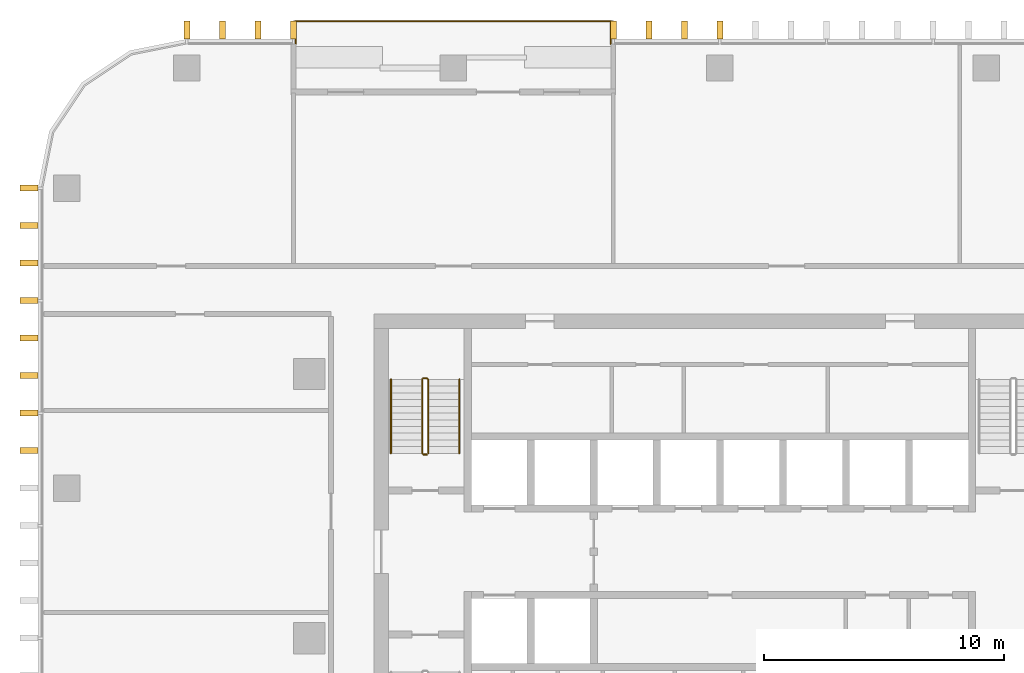
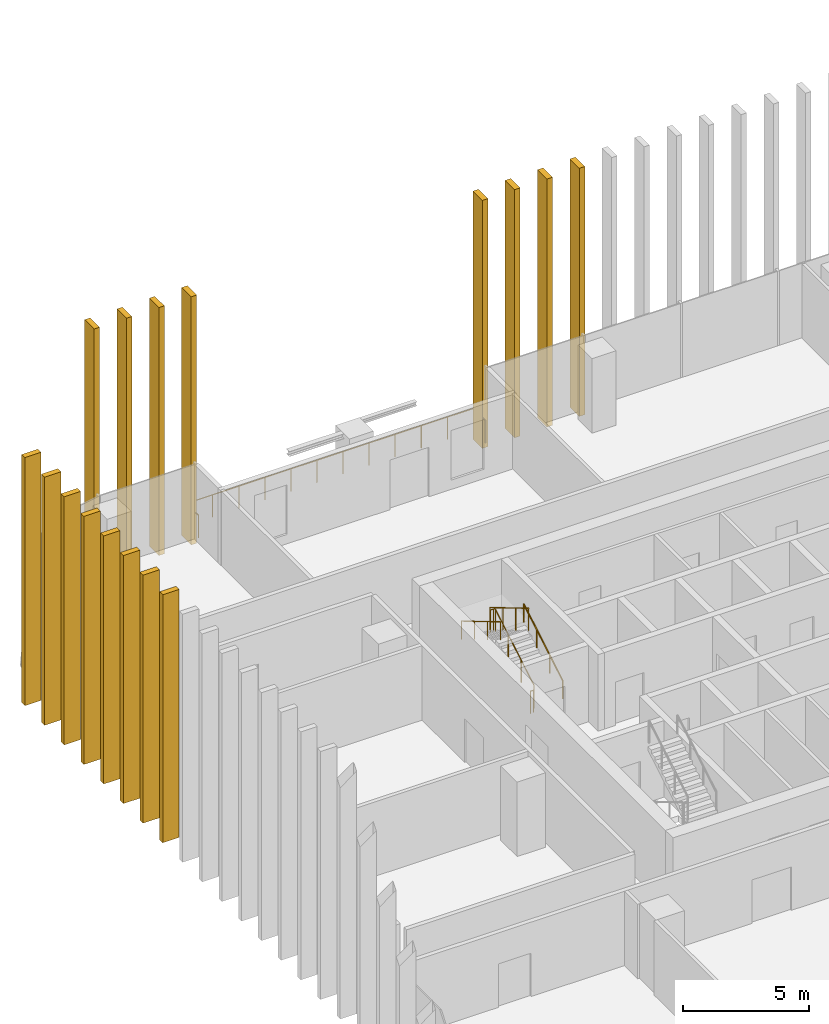
# One storey, part 14 of 15: 16 shading devices, 6 railings.
"""IFC4 building model written with IfcOpenShell, lengths in metres."""

from ifc_helpers import new_model, si_unit, direction, frame, origin, origin_2d, place, context, subcontext, project, spatial, rectangle, circle, extrude, material, type_object, element, save


model = new_model("IFC4")

# Units and contexts
model_context = context("Model", 3, precision=1e-05, world=origin(), true_north=direction((0.0, 1.0)))
body_context = subcontext(model_context, "Body", "Model", "MODEL_VIEW")
ifc_project = project(units=[si_unit("LENGTHUNIT", "METRE"), si_unit("AREAUNIT", "SQUARE_METRE"), si_unit("VOLUMEUNIT", "CUBIC_METRE"), si_unit("PLANEANGLEUNIT", "RADIAN"), si_unit("MASSUNIT", "GRAM", prefix="KILO")], contexts=[model_context])

# Site, building, storey
site_placement = place(None, origin())
site = spatial("IfcSite", under=ifc_project, at=site_placement, CompositionType="ELEMENT")
building_placement = place(site_placement, origin())
building = spatial("IfcBuilding", under=site, at=building_placement, Name="Mopane Tessera Tower", CompositionType="ELEMENT")
storey_placement = place(building_placement, frame((0.0, 0.0, 223.0)))
storey = spatial("IfcBuildingStorey", under=building, at=storey_placement, Name="L47", CompositionType="ELEMENT", Elevation=223.0)

# Shading devices
ifc_material_1 = material(Name="Glazed ceramic tile")
shading_device_type = type_object("IfcShadingDeviceType", Name="Ceramic tile fin 750 x 250 mm", PredefinedType="USERDEFINED", material=ifc_material_1)
for number, where, z_axis, x_axis, name in (
    (1, (0.0, 25.324951171875, -0.39990234375), (0.0, 0.0, 1.0), (-1.0, 0.0, 0.0), "e:fin:L47:N:5:0"),
    (2, (-1.47998046875, 25.324951171875, -0.39990234375), (0.0, 0.0, 1.0), (-1.0, 0.0, 0.0), "e:fin:L47:N:5:1"),
    (3, (-2.9599609375, 25.324951171875, -0.39990234375), (0.0, 0.0, 1.0), (-1.0, 0.0, 0.0), "e:fin:L47:N:5:2"),
    (4, (-4.43994140625, 25.324951171875, -0.39990234375), (0.0, 0.0, 1.0), (-1.0, 0.0, 0.0), "e:fin:L47:N:5:3"),
    (5, (-17.760009765625, 25.324951171875, -0.39990234375), (0.0, 0.0, 1.0), (-1.0, 0.0, 0.0), "e:fin:L47:N:9:0"),
    (6, (-19.239990234375, 25.324951171875, -0.39990234375), (0.0, 0.0, 1.0), (-1.0, 0.0, 0.0), "e:fin:L47:N:9:1"),
    (7, (-20.719970703125, 25.324951171875, -0.39990234375), (0.0, 0.0, 1.0), (-1.0, 0.0, 0.0), "e:fin:L47:N:9:2"),
    (8, (-22.199951171875, 25.324951171875, -0.39990234375), (0.0, 0.0, 1.0), (-1.0, 0.0, 0.0), "e:fin:L47:N:9:3"),
    (9, (-28.77490234375, 18.75, -0.39990234375), (0.0, 0.0, 1.0), (0.0, -1.0, 0.0), "e:fin:L47:W:0:0"),
    (10, (-28.77490234375, 17.1875, -0.39990234375), (0.0, 0.0, 1.0), (0.0, -1.0, 0.0), "e:fin:L47:W:0:1"),
    (11, (-28.77490234375, 15.625, -0.39990234375), (0.0, 0.0, 1.0), (0.0, -1.0, 0.0), "e:fin:L47:W:0:2"),
    (12, (-28.77490234375, 14.0625, -0.39990234375), (0.0, 0.0, 1.0), (0.0, -1.0, 0.0), "e:fin:L47:W:1:0"),
    (13, (-28.77490234375, 12.5, -0.39990234375), (0.0, 0.0, 1.0), (0.0, -1.0, 0.0), "e:fin:L47:W:1:1"),
    (14, (-28.77490234375, 10.9375, -0.39990234375), (0.0, 0.0, 1.0), (0.0, -1.0, 0.0), "e:fin:L47:W:1:2"),
    (15, (-28.77490234375, 9.375, -0.39990234375), (0.0, 0.0, 1.0), (0.0, -1.0, 0.0), "e:fin:L47:W:2:0"),
    (16, (-28.77490234375, 7.8125, -0.39990234375), (0.0, 0.0, 1.0), (0.0, -1.0, 0.0), "e:fin:L47:W:2:1"),
):
    element("IfcShadingDevice", number, at=place(storey_placement, frame(where, z_axis=z_axis, x_axis=x_axis)), inside=storey, type_object=shading_device_type, Name=name, ObjectType="FIN", PredefinedType="USERDEFINED", context=body_context, shape_type="SweptSolid", body=[
        extrude(rectangle(XDim=0.25, YDim=0.75, at=origin_2d()), origin(), (0.0, 0.0, 1.0), 12.0),
    ])

# Railings
ifc_material_2 = material(Name="Powder-coated steel balustrade", Category="steel")
railing_type_1 = type_object("IfcRailingType", Name="Escape stair guard 1100 mm", PredefinedType="GUARDRAIL", material=ifc_material_2)
railing_1_placement = place(storey_placement, frame((-12.14990234375, 7.699951171875, 0.166748046875)))
element("IfcRailing", 17, at=railing_1_placement, inside=storey, type_object=railing_type_1, Name="L47 ST2 stair guard 1", PredefinedType="GUARDRAIL", context=body_context, shape_type="SweptSolid", body=[
    extrude(circle(Radius=0.02392578125, at=origin_2d()), frame((0.0, 0.0, 1.076171875), z_axis=(0.0, 0.859308565015, 0.511457515432), x_axis=(-1.0, 0.0, 0.0)), (0.0, 0.0, 1.0), 3.58447265625),
    extrude(circle(Radius=0.02392578125, at=origin_2d()), frame((0.0, 3.080078125, 2.9091796875), z_axis=(-0.707106781187, 0.707106781187, 0.0), x_axis=(-0.707106781187, -0.707106781187, 0.0)), (0.0, 0.0, 1.0), 0.07080078125),
    extrude(circle(Radius=0.02392578125, at=origin_2d()), frame((-0.050048828125, 3.130126953125, 2.9091796875), z_axis=(-1.0, 0.0, 0.0), x_axis=(0.0, -1.0, 0.0)), (0.0, 0.0, 1.0), 0.150146484375),
    extrude(circle(Radius=0.02099609375, at=origin_2d()), origin(), (0.0, 0.0, 1.0), 1.052001953125),
    extrude(circle(Radius=0.02099609375, at=origin_2d()), frame((0.0, 1.026611328125, 0.611083984375)), (0.0, 0.0, 1.0), 1.052001953125),
    extrude(circle(Radius=0.02099609375, at=origin_2d()), frame((0.0, 2.053466796875, 1.22216796875)), (0.0, 0.0, 1.0), 1.052001953125),
    extrude(circle(Radius=0.02099609375, at=origin_2d()), frame((0.0, 3.080078125, 1.833251953125)), (0.0, 0.0, 1.0), 1.052001953125),
    extrude(circle(Radius=0.02099609375, at=origin_2d()), frame((-0.050048828125, 3.130126953125, 1.833251953125)), (0.0, 0.0, 1.0), 1.052001953125),
    extrude(circle(Radius=0.02099609375, at=origin_2d()), frame((-0.2001953125, 3.130126953125, 1.833251953125)), (0.0, 0.0, 1.0), 1.052001953125),
])
railing_2_placement = place(storey_placement, frame((-12.39990234375, 10.780029296875, 2.166748046875)))
element("IfcRailing", 18, at=railing_2_placement, inside=storey, type_object=railing_type_1, Name="L47 ST2 stair guard 2", PredefinedType="GUARDRAIL", context=body_context, shape_type="SweptSolid", body=[
    extrude(circle(Radius=0.02392578125, at=origin_2d()), frame((0.0, 0.0, 1.076171875), z_axis=(0.0, -0.859308565015, 0.511457515432), x_axis=(1.0, 0.0, 0.0)), (0.0, 0.0, 1.0), 3.58447265625),
    extrude(circle(Radius=0.02099609375, at=origin_2d()), origin(), (0.0, 0.0, 1.0), 1.052001953125),
    extrude(circle(Radius=0.02099609375, at=origin_2d()), frame((0.0, -1.026611328125, 0.611083984375)), (0.0, 0.0, 1.0), 1.052001953125),
    extrude(circle(Radius=0.02099609375, at=origin_2d()), frame((0.0, -2.053466796875, 1.22216796875)), (0.0, 0.0, 1.0), 1.052001953125),
    extrude(circle(Radius=0.02099609375, at=origin_2d()), frame((0.0, -3.080078125, 1.833251953125)), (0.0, 0.0, 1.0), 1.052001953125),
])
railing_3_placement = place(storey_placement, frame((-12.199951171875, 7.64990234375, 0.0)))
element("IfcRailing", 19, at=railing_3_placement, inside=storey, type_object=railing_type_1, Name="L47 ST2 stair guard 3", PredefinedType="GUARDRAIL", context=body_context, shape_type="SweptSolid", body=[
    extrude(circle(Radius=0.02392578125, at=origin_2d()), frame((0.0, 0.0, 1.076171875), z_axis=(-1.0, 0.0, 0.0), x_axis=(0.0, -1.0, 0.0)), (0.0, 0.0, 1.0), 0.150146484375),
    extrude(circle(Radius=0.02099609375, at=origin_2d()), origin(), (0.0, 0.0, 1.0), 1.052001953125),
    extrude(circle(Radius=0.02099609375, at=origin_2d()), frame((-0.150146484375, 0.0, 0.0)), (0.0, 0.0, 1.0), 1.052001953125),
])
ifc_material_3 = material(Name="Powder-coated steel balustrade", Category="steel")
railing_type_2 = type_object("IfcRailingType", Name="Escape stair handrail 900 mm", PredefinedType="HANDRAIL", material=ifc_material_3)
railing_4_placement = place(storey_placement, frame((-10.85009765625, 7.699951171875, 0.166748046875)))
element("IfcRailing", 20, at=railing_4_placement, inside=storey, type_object=railing_type_2, Name="L47 ST2 stair handrail 1", PredefinedType="HANDRAIL", context=body_context, shape_type="SweptSolid", body=[
    extrude(circle(Radius=0.02392578125, at=origin_2d()), frame((0.0, 0.0, 0.8759765625), z_axis=(0.0, 0.859308565015, 0.511457515432), x_axis=(-1.0, 0.0, 0.0)), (0.0, 0.0, 1.0), 3.58447265625),
    extrude(circle(Radius=0.02099609375, at=origin_2d()), origin(), (0.0, 0.0, 1.0), 0.851806640625),
    extrude(circle(Radius=0.02099609375, at=origin_2d()), frame((0.0, 1.026611328125, 0.611083984375)), (0.0, 0.0, 1.0), 0.851806640625),
    extrude(circle(Radius=0.02099609375, at=origin_2d()), frame((0.0, 2.053466796875, 1.22216796875)), (0.0, 0.0, 1.0), 0.851806640625),
    extrude(circle(Radius=0.02099609375, at=origin_2d()), frame((0.0, 3.080078125, 1.833251953125)), (0.0, 0.0, 1.0), 0.851806640625),
])
railing_5_placement = place(storey_placement, frame((-13.699951171875, 10.780029296875, 2.166748046875)))
element("IfcRailing", 21, at=railing_5_placement, inside=storey, type_object=railing_type_2, Name="L47 ST2 stair handrail 2", PredefinedType="HANDRAIL", context=body_context, shape_type="SweptSolid", body=[
    extrude(circle(Radius=0.02392578125, at=origin_2d()), frame((0.0, 0.0, 0.8759765625), z_axis=(0.0, -0.859308565015, 0.511457515432), x_axis=(1.0, 0.0, 0.0)), (0.0, 0.0, 1.0), 3.58447265625),
    extrude(circle(Radius=0.02099609375, at=origin_2d()), origin(), (0.0, 0.0, 1.0), 0.851806640625),
    extrude(circle(Radius=0.02099609375, at=origin_2d()), frame((0.0, -1.026611328125, 0.611083984375)), (0.0, 0.0, 1.0), 0.851806640625),
    extrude(circle(Radius=0.02099609375, at=origin_2d()), frame((0.0, -2.053466796875, 1.22216796875)), (0.0, 0.0, 1.0), 0.851806640625),
    extrude(circle(Radius=0.02099609375, at=origin_2d()), frame((0.0, -3.080078125, 1.833251953125)), (0.0, 0.0, 1.0), 0.851806640625),
])
ifc_material_4 = material(Name="Stainless steel S316", Category="steel")
railing_type_3 = type_object("IfcRailingType", Name="Terrace guard 1100", PredefinedType="GUARDRAIL", material=ifc_material_4)
railing_6_placement = place(storey_placement, frame((-4.5400390625, 24.75, 0.0)))
element("IfcRailing", 22, at=railing_6_placement, inside=storey, type_object=railing_type_3, Name="e:nw:L47:N3:guard", PredefinedType="GUARDRAIL", context=body_context, shape_type="SweptSolid", body=[
    extrude(circle(Radius=0.02392578125, at=origin_2d()), frame((0.0, 0.0, 1.076171875), z_axis=(0.0, 1.0, 0.0), x_axis=(-1.0, 0.0, 0.0)), (0.0, 0.0, 1.0), 0.949951171875),
    extrude(circle(Radius=0.02392578125, at=origin_2d()), frame((0.0, 0.949951171875, 1.076171875), z_axis=(-1.0, 0.0, 0.0), x_axis=(0.0, -1.0, 0.0)), (0.0, 0.0, 1.0), 13.119873046875),
    extrude(circle(Radius=0.02392578125, at=origin_2d()), frame((-13.119873046875, 0.949951171875, 1.076171875), z_axis=(0.0, -1.0, 0.0), x_axis=(1.0, 0.0, 0.0)), (0.0, 0.0, 1.0), 0.949951171875),
    extrude(circle(Radius=0.02099609375, at=origin_2d()), origin(), (0.0, 0.0, 1.0), 1.052001953125),
    extrude(circle(Radius=0.02099609375, at=origin_2d()), frame((0.0, 0.949951171875, 0.0)), (0.0, 0.0, 1.0), 1.052001953125),
    extrude(circle(Radius=0.02099609375, at=origin_2d()), frame((-1.192626953125, 0.949951171875, 0.0)), (0.0, 0.0, 1.0), 1.052001953125),
    extrude(circle(Radius=0.02099609375, at=origin_2d()), frame((-2.385498046875, 0.949951171875, 0.0)), (0.0, 0.0, 1.0), 1.052001953125),
    extrude(circle(Radius=0.02099609375, at=origin_2d()), frame((-3.578125, 0.949951171875, 0.0)), (0.0, 0.0, 1.0), 1.052001953125),
    extrude(circle(Radius=0.02099609375, at=origin_2d()), frame((-4.770751953125, 0.949951171875, 0.0)), (0.0, 0.0, 1.0), 1.052001953125),
    extrude(circle(Radius=0.02099609375, at=origin_2d()), frame((-5.963623046875, 0.949951171875, 0.0)), (0.0, 0.0, 1.0), 1.052001953125),
    extrude(circle(Radius=0.02099609375, at=origin_2d()), frame((-7.15625, 0.949951171875, 0.0)), (0.0, 0.0, 1.0), 1.052001953125),
    extrude(circle(Radius=0.02099609375, at=origin_2d()), frame((-8.34912109375, 0.949951171875, 0.0)), (0.0, 0.0, 1.0), 1.052001953125),
    extrude(circle(Radius=0.02099609375, at=origin_2d()), frame((-9.541748046875, 0.949951171875, 0.0)), (0.0, 0.0, 1.0), 1.052001953125),
    extrude(circle(Radius=0.02099609375, at=origin_2d()), frame((-10.734375, 0.949951171875, 0.0)), (0.0, 0.0, 1.0), 1.052001953125),
    extrude(circle(Radius=0.02099609375, at=origin_2d()), frame((-11.92724609375, 0.949951171875, 0.0)), (0.0, 0.0, 1.0), 1.052001953125),
    extrude(circle(Radius=0.02099609375, at=origin_2d()), frame((-13.119873046875, 0.949951171875, 0.0)), (0.0, 0.0, 1.0), 1.052001953125),
    extrude(circle(Radius=0.02099609375, at=origin_2d()), frame((-13.119873046875, 0.0, 0.0)), (0.0, 0.0, 1.0), 1.052001953125),
])

save(model, "model.ifc")
